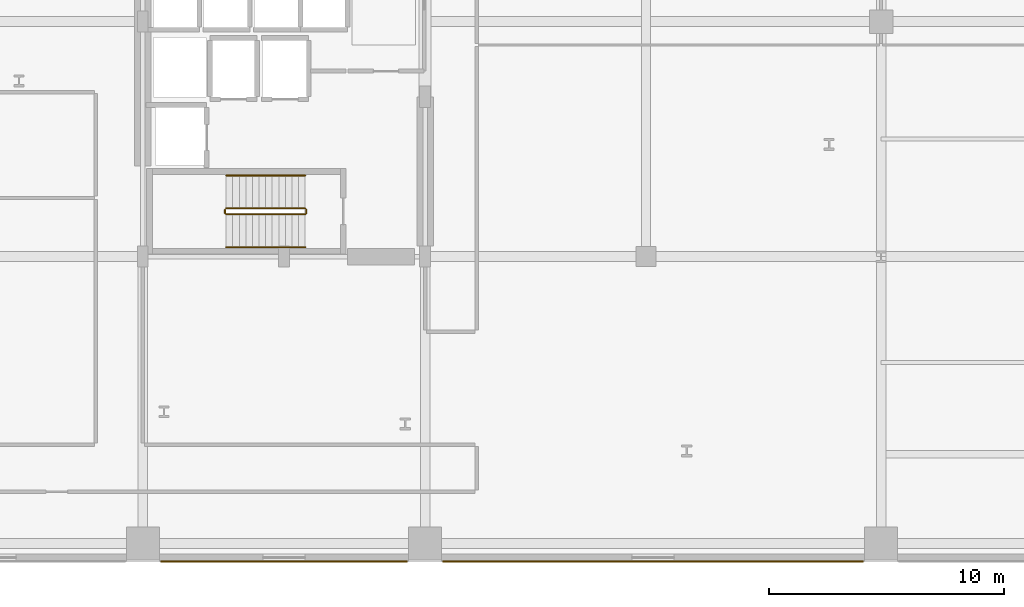
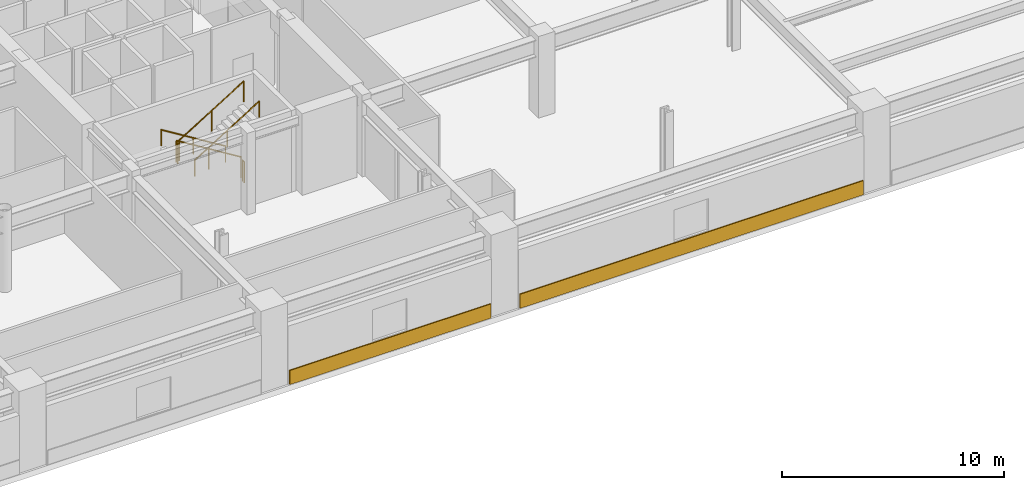
# One storey, part 25 of 28: 6 railings, 2 coverings.
"""IFC4 building model written with IfcOpenShell, lengths in metres."""

from ifc_helpers import new_model, si_unit, direction, frame, origin, origin_2d, place, context, subcontext, project, spatial, rectangle, circle, extrude, material, layer, layer_set, type_object, element, save


model = new_model("IFC4")

# Units and contexts
model_context = context("Model", 3, precision=1e-05, world=origin(), true_north=direction((0.0, 1.0)))
body_context = subcontext(model_context, "Body", "Model", "MODEL_VIEW")
ifc_project = project(units=[si_unit("LENGTHUNIT", "METRE"), si_unit("AREAUNIT", "SQUARE_METRE"), si_unit("VOLUMEUNIT", "CUBIC_METRE"), si_unit("PLANEANGLEUNIT", "RADIAN"), si_unit("MASSUNIT", "GRAM", prefix="KILO")], contexts=[model_context])

# Site, building, storey
site_placement = place(None, origin())
site = spatial("IfcSite", under=ifc_project, at=site_placement, CompositionType="ELEMENT")
building_placement = place(site_placement, origin())
building = spatial("IfcBuilding", under=site, at=building_placement, Name="Soratama Intermodal Tower", CompositionType="ELEMENT")
storey_placement = place(building_placement, frame((0.0, 0.0, 16.199951171875)))
storey = spatial("IfcBuildingStorey", under=building, at=storey_placement, Name="L03", CompositionType="ELEMENT", Elevation=16.199951171875)

# Coverings
ifc_material_1 = material(Name="Honed Andean limestone cladding", Category="masonry")
ifc_layer = layer(ifc_material_1, 0.06005859375)
ifc_layer_set = layer_set([ifc_layer], Name="Honed Andean limestone cladding")
covering_type = type_object("IfcCoveringType", Name="CV-STONE-CLAD", PredefinedType="CLADDING", material=ifc_layer_set)
covering_1_placement = place(storey_placement, frame((38.60009765625, 2.02392578125, 0.0302734375), z_axis=(0.0, 0.0, 1.0), x_axis=(1.0, 0.0, 0.0)))
element("IfcCovering", 1, at=covering_1_placement, inside=storey, type_object=covering_type, Name="L03 S Cladding B3", PredefinedType="CLADDING", context=body_context, shape_type="SweptSolid", body=[
    extrude(rectangle(XDim=10.5, YDim=0.06005859375, at=origin_2d()), origin(), (0.0, 0.0, 1.0), 0.780029296875),
])
covering_2_placement = place(storey_placement, frame((54.300048828125, 2.02392578125, 0.0302734375), z_axis=(0.0, 0.0, 1.0), x_axis=(1.0, 0.0, 0.0)))
element("IfcCovering", 2, at=covering_2_placement, inside=storey, type_object=covering_type, Name="L03 S Cladding B4", PredefinedType="CLADDING", context=body_context, shape_type="SweptSolid", body=[
    extrude(rectangle(XDim=17.89990234375, YDim=0.06005859375, at=origin_2d()), origin(), (0.0, 0.0, 1.0), 0.780029296875),
])

# Railings
ifc_material_2 = material(Name="Painted steel stair guardrail", Category="steel")
railing_type_1 = type_object("IfcRailingType", Name="RL-STAIR-GUARD", PredefinedType="GUARDRAIL", material=ifc_material_2)
railing_1_placement = place(storey_placement, frame((39.5, 17.050048828125, 0.173095703125)))
element("IfcRailing", 3, at=railing_1_placement, inside=storey, type_object=railing_type_1, Name="L03 ST-1 stair guard 1", PredefinedType="GUARDRAIL", context=body_context, shape_type="SweptSolid", body=[
    extrude(circle(Radius=0.02392578125, at=origin_2d()), frame((0.0, 0.0, 1.1259765625), z_axis=(-0.850623216509, 0.0, 0.525775754039), x_axis=(0.0, -1.0, 0.0)), (0.0, 0.0, 1.0), 3.9501953125),
    extrude(circle(Radius=0.02099609375, at=origin_2d()), origin(), (0.0, 0.0, 1.0), 1.101806640625),
    extrude(circle(Radius=0.02099609375, at=origin_2d()), frame((-1.68017578125, 0.0, 1.03857421875)), (0.0, 0.0, 1.0), 1.101806640625),
    extrude(circle(Radius=0.02099609375, at=origin_2d()), frame((-3.360107421875, 0.0, 2.076904296875)), (0.0, 0.0, 1.0), 1.101806640625),
])
railing_2_placement = place(storey_placement, frame((36.090087890625, 17.0, 2.25)))
element("IfcRailing", 4, at=railing_2_placement, inside=storey, type_object=railing_type_1, Name="L03 ST-1 stair guard 2", PredefinedType="GUARDRAIL", context=body_context, shape_type="SweptSolid", body=[
    extrude(circle(Radius=0.02392578125, at=origin_2d()), frame((0.0, 0.0, 1.1259765625), z_axis=(0.0, -1.0, 0.0), x_axis=(1.0, 0.0, 0.0)), (0.0, 0.0, 1.0), 0.14990234375),
    extrude(circle(Radius=0.02099609375, at=origin_2d()), origin(), (0.0, 0.0, 1.0), 1.101806640625),
    extrude(circle(Radius=0.02099609375, at=origin_2d()), frame((0.0, -0.14990234375, 0.0)), (0.0, 0.0, 1.0), 1.101806640625),
])
railing_3_placement = place(storey_placement, frame((36.139892578125, 16.800048828125, 2.423095703125)))
element("IfcRailing", 5, at=railing_3_placement, inside=storey, type_object=railing_type_1, Name="L03 ST-1 stair guard 3", PredefinedType="GUARDRAIL", context=body_context, shape_type="SweptSolid", body=[
    extrude(circle(Radius=0.02392578125, at=origin_2d()), frame((0.0, 0.0, 1.1259765625), z_axis=(0.850623216509, 0.0, 0.525775754039), x_axis=(0.0, 1.0, 0.0)), (0.0, 0.0, 1.0), 3.9501953125),
    extrude(circle(Radius=0.02099609375, at=origin_2d()), origin(), (0.0, 0.0, 1.0), 1.101806640625),
    extrude(circle(Radius=0.02099609375, at=origin_2d()), frame((1.68017578125, 0.0, 1.03857421875)), (0.0, 0.0, 1.0), 1.101806640625),
    extrude(circle(Radius=0.02099609375, at=origin_2d()), frame((3.360107421875, 0.0, 2.076904296875)), (0.0, 0.0, 1.0), 1.101806640625),
])
railing_4_placement = place(storey_placement, frame((39.550048828125, 17.0, 0.0)))
element("IfcRailing", 6, at=railing_4_placement, inside=storey, type_object=railing_type_1, Name="L03 ST-1 stair guard 4", PredefinedType="GUARDRAIL", context=body_context, shape_type="SweptSolid", body=[
    extrude(circle(Radius=0.02392578125, at=origin_2d()), frame((0.0, 0.0, 1.1259765625), z_axis=(0.0, -1.0, 0.0), x_axis=(1.0, 0.0, 0.0)), (0.0, 0.0, 1.0), 0.14990234375),
    extrude(circle(Radius=0.02099609375, at=origin_2d()), origin(), (0.0, 0.0, 1.0), 1.101806640625),
    extrude(circle(Radius=0.02099609375, at=origin_2d()), frame((0.0, -0.14990234375, 0.0)), (0.0, 0.0, 1.0), 1.101806640625),
])
ifc_material_3 = material(Name="Brushed stainless steel handrail", Category="steel")
railing_type_2 = type_object("IfcRailingType", Name="RL-STAIR-HAND", PredefinedType="HANDRAIL", material=ifc_material_3)
railing_5_placement = place(storey_placement, frame((39.5, 18.449951171875, 0.173095703125)))
element("IfcRailing", 7, at=railing_5_placement, inside=storey, type_object=railing_type_2, Name="L03 ST-1 stair handrail 1", PredefinedType="HANDRAIL", context=body_context, shape_type="SweptSolid", body=[
    extrude(circle(Radius=0.02392578125, at=origin_2d()), frame((0.0, 0.0, 0.8759765625), z_axis=(-0.850623216509, 0.0, 0.525775754039), x_axis=(0.0, -1.0, 0.0)), (0.0, 0.0, 1.0), 3.9501953125),
    extrude(circle(Radius=0.02099609375, at=origin_2d()), origin(), (0.0, 0.0, 1.0), 0.851806640625),
    extrude(circle(Radius=0.02099609375, at=origin_2d()), frame((-1.68017578125, 0.0, 1.03857421875)), (0.0, 0.0, 1.0), 0.851806640625),
    extrude(circle(Radius=0.02099609375, at=origin_2d()), frame((-3.360107421875, 0.0, 2.076904296875)), (0.0, 0.0, 1.0), 0.851806640625),
])
railing_6_placement = place(storey_placement, frame((36.139892578125, 15.39990234375, 2.423095703125)))
element("IfcRailing", 8, at=railing_6_placement, inside=storey, type_object=railing_type_2, Name="L03 ST-1 stair handrail 2", PredefinedType="HANDRAIL", context=body_context, shape_type="SweptSolid", body=[
    extrude(circle(Radius=0.02392578125, at=origin_2d()), frame((0.0, 0.0, 0.8759765625), z_axis=(0.850623216509, 0.0, 0.525775754039), x_axis=(0.0, 1.0, 0.0)), (0.0, 0.0, 1.0), 3.9501953125),
    extrude(circle(Radius=0.02099609375, at=origin_2d()), origin(), (0.0, 0.0, 1.0), 0.851806640625),
    extrude(circle(Radius=0.02099609375, at=origin_2d()), frame((1.68017578125, 0.0, 1.03857421875)), (0.0, 0.0, 1.0), 0.851806640625),
    extrude(circle(Radius=0.02099609375, at=origin_2d()), frame((3.360107421875, 0.0, 2.076904296875)), (0.0, 0.0, 1.0), 0.851806640625),
])

save(model, "model.ifc")
